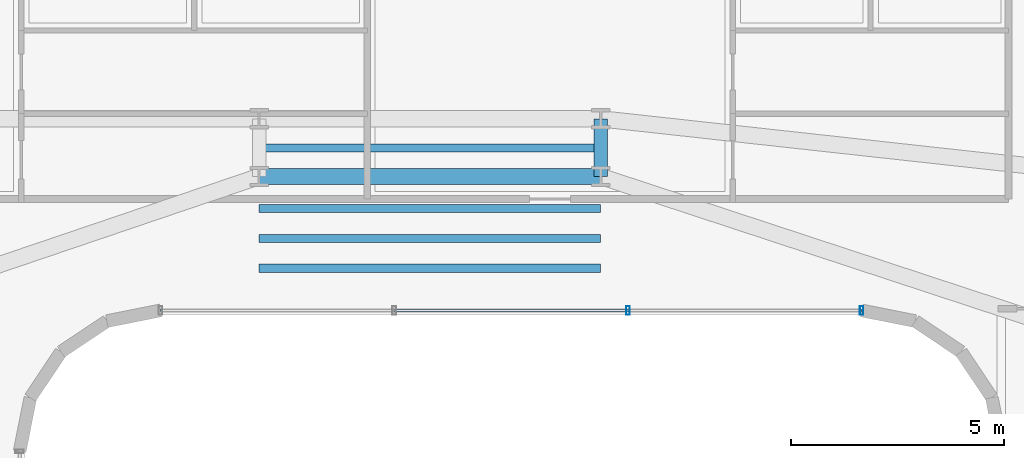
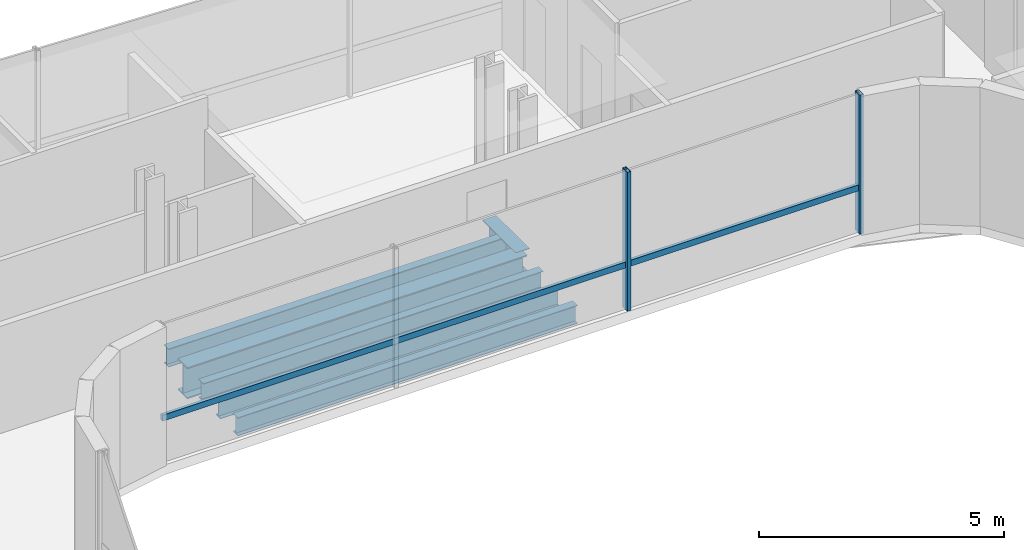
# One storey, part 14 of 35: 6 beams, 3 members, 1 element without a shape of its own.
"""IFC4 building model written with IfcOpenShell, lengths in metres."""

import ifcopenshell
import ifcopenshell.guid

model = None  # the IFC model being written
_history = None  # IfcOwnerHistory: only IFC2X3 demands one
_inside = {}  # id of a spatial element -> (the spatial element, [elements in it])
_under = {}  # id of a project, library or spatial element -> (it, [spatial elements below it])
_declared = {}  # id of a project -> (the project, [libraries it declares])
_typed = {}  # id of a type object -> (the type object, [elements of that type])
_made_of = {}  # id of a material, layer set ... -> (it, [elements and type objects made of it])


def new_model(schema):
    """Start an empty IFC model of exactly this schema.

    Asked for "IFC4X3", IfcOpenShell would pick the latest addendum, in which some entities
    have other attributes; the version numbers below select the first issue.
    IFC2X3 requires an IfcOwnerHistory on every rooted entity: one is made here for all.
    """
    global model, _history
    if schema == "IFC4X3":
        model = ifcopenshell.file(schema_version=(4, 3, 0, 0))
    else:
        model = ifcopenshell.file(schema=schema)
    _inside.clear()
    _under.clear()
    _declared.clear()
    _typed.clear()
    _made_of.clear()
    _history = None
    if model.schema == "IFC2X3":
        org = make("IfcOrganization", Name="unknown")
        user = make(
            "IfcPersonAndOrganization",
            ThePerson=make("IfcPerson", FamilyName="unknown"),
            TheOrganization=org,
        )
        app = make(
            "IfcApplication",
            ApplicationDeveloper=org,
            Version="unknown",
            ApplicationFullName="unknown",
            ApplicationIdentifier="unknown",
        )
        _history = make(
            "IfcOwnerHistory",
            OwningUser=user,
            OwningApplication=app,
            ChangeAction="ADDED",
            CreationDate=0,
        )
    return model


def make(cls, **values):
    """One entity of the class cls with the attributes given. An attribute that is None is left unset."""
    return model.create_entity(
        cls, **{name: value for name, value in values.items() if value is not None}
    )


def rooted(cls, **values):
    """An entity with a GlobalId (a new one), such as an element, a storey or a relation."""
    return make(cls, GlobalId=ifcopenshell.guid.new(), OwnerHistory=_history, **values)


def si_unit(unit_type, name, prefix=None):
    """IfcSIUnit, for example si_unit("LENGTHUNIT", "METRE", prefix="MILLI")."""
    return make("IfcSIUnit", UnitType=unit_type, Prefix=prefix, Name=name)


def assignment(units):
    """IfcUnitAssignment: the units of a project."""
    return None if units is None else make("IfcUnitAssignment", Units=units)


def point(xyz):
    """IfcCartesianPoint."""
    return None if xyz is None else make("IfcCartesianPoint", Coordinates=xyz)


def direction(xyz):
    """IfcDirection."""
    return None if xyz is None else make("IfcDirection", DirectionRatios=xyz)


def frame(location, z_axis=None, x_axis=None):
    """IfcAxis2Placement3D, a coordinate frame: its origin and axes. An axis left out is left unset."""
    return make(
        "IfcAxis2Placement3D",
        Location=point(location),
        Axis=direction(z_axis),
        RefDirection=direction(x_axis),
    )


def frame_2d(location, x_axis=None):
    """IfcAxis2Placement2D, a coordinate frame in the plane: its origin and x axis."""
    return make(
        "IfcAxis2Placement2D", Location=point(location), RefDirection=direction(x_axis)
    )


def origin():
    """The frame at (0, 0, 0) with its axes left unset."""
    return frame((0.0, 0.0, 0.0))


def origin_2d():
    """The frame at (0, 0) in the plane with its x axis left unset."""
    return frame_2d((0.0, 0.0))


def place(relative_to, where):
    """IfcLocalPlacement: puts the frame where relative to a parent placement (None: the world)."""
    return make(
        "IfcLocalPlacement", PlacementRelTo=relative_to, RelativePlacement=where
    )


def context(
    kind, dimensions, precision=None, world=None, true_north=None, identifier=None
):
    """IfcGeometricRepresentationContext, for example the 3D "Model" context."""
    return make(
        "IfcGeometricRepresentationContext",
        ContextIdentifier=identifier,
        ContextType=kind,
        CoordinateSpaceDimension=dimensions,
        Precision=precision,
        WorldCoordinateSystem=world,
        TrueNorth=true_north,
    )


def subcontext(parent, identifier, kind, view, scale=None):
    """IfcGeometricRepresentationSubContext, for example "Body" below "Model"."""
    return make(
        "IfcGeometricRepresentationSubContext",
        ContextIdentifier=identifier,
        ContextType=kind,
        ParentContext=parent,
        TargetScale=scale,
        TargetView=view,
    )


def project(units=None, contexts=None):
    """IfcProject with its units and contexts."""
    return rooted(
        "IfcProject",
        Name="project",
        RepresentationContexts=contexts,
        UnitsInContext=assignment(units),
    )


def spatial(cls, under=None, at=None, **own):
    """A site, building, storey or space (cls), placed at a placement, below another one or the project."""
    s = rooted(cls, ObjectPlacement=at, **own)
    if under is not None:
        _under.setdefault(under.id(), (under, []))[1].append(s)
    return s


def profile(cls, at=None, kind="AREA", **sizes):
    """A parametric profile (cls). Its sizes go by their IFC names, for example OverallWidth=200.0."""
    return make(cls, ProfileType=kind, Position=at, **sizes)


def hollow_rectangle(**sizes):
    """IfcRectangleHollowProfileDef."""
    return profile("IfcRectangleHollowProfileDef", **sizes)


def i_section(**sizes):
    """IfcIShapeProfileDef."""
    return profile("IfcIShapeProfileDef", **sizes)


def extrude(swept, where, along, depth):
    """IfcExtrudedAreaSolid: the profile swept, set in the frame where, extruded along a direction by depth."""
    return make(
        "IfcExtrudedAreaSolid",
        SweptArea=swept,
        Position=where,
        ExtrudedDirection=direction(along),
        Depth=depth,
    )


def shape(context_of_items, identifier, shape_type, items):
    """IfcShapeRepresentation: the items that make up one representation, for example the "Body"."""
    return make(
        "IfcShapeRepresentation",
        ContextOfItems=context_of_items,
        RepresentationIdentifier=identifier,
        RepresentationType=shape_type,
        Items=items,
    )


def source(mapping_origin, context_of_items, identifier, shape_type, items):
    """IfcRepresentationMap: a shape defined once, which mapped items show again and again."""
    return make(
        "IfcRepresentationMap",
        MappingOrigin=mapping_origin,
        MappedRepresentation=shape(context_of_items, identifier, shape_type, items),
    )


def transform(
    local_origin,
    x_axis=None,
    y_axis=None,
    z_axis=None,
    scale=None,
    scale2=None,
    scale3=None,
    uniform=True,
):
    """IfcCartesianTransformationOperator3D, or its non-uniform kind. x_axis, y_axis, z_axis: its Axis1, 2, 3."""
    if uniform:
        return make(
            "IfcCartesianTransformationOperator3D",
            Axis1=direction(x_axis),
            Axis2=direction(y_axis),
            LocalOrigin=point(local_origin),
            Scale=scale,
            Axis3=direction(z_axis),
        )
    return make(
        "IfcCartesianTransformationOperator3DnonUniform",
        Axis1=direction(x_axis),
        Axis2=direction(y_axis),
        LocalOrigin=point(local_origin),
        Scale=scale,
        Axis3=direction(z_axis),
        Scale2=scale2,
        Scale3=scale3,
    )


def mapped(mapping_source, mapping_target):
    """IfcMappedItem: shows the shape of a source again, moved by a transform."""
    return make(
        "IfcMappedItem", MappingSource=mapping_source, MappingTarget=mapping_target
    )


def material(Name=None, Category=None):
    """IfcMaterial."""
    return make("IfcMaterial", Name=Name, Category=Category)


def material_profile(
    of_material, cross_section, Name=None, Category=None, Priority=None
):
    """IfcMaterialProfile: a cross section and its material."""
    return make(
        "IfcMaterialProfile",
        Name=Name,
        Material=of_material,
        Profile=cross_section,
        Priority=Priority,
        Category=Category,
    )


def profile_set(profiles, Name=None, composite=None):
    """IfcMaterialProfileSet."""
    return make(
        "IfcMaterialProfileSet",
        Name=Name,
        MaterialProfiles=profiles,
        CompositeProfile=composite,
    )


def made_of(thing, what):
    """Note that an element or type object is made of a material, layer set ...; save() writes the relation."""
    if what is not None:
        _made_of.setdefault(what.id(), (what, []))[1].append(thing)
    return thing


def type_object(cls, material=None, **own):
    """A type object (cls), such as IfcWallType, which elements share."""
    return made_of(rooted(cls, **own), material)


def element(
    cls,
    number,
    at=None,
    inside=None,
    cuts=None,
    type_object=None,
    material=None,
    context=None,
    identifier="Body",
    shape_type=None,
    held_by="IfcProductDefinitionShape",
    body=None,
    shapes=None,
    **own,
):
    """One element of the class cls, such as IfcWall. Its Tag is "e" and its number.

    at: its placement. inside: the storey or other place that contains it. cuts: it is an
    opening in that element (IfcRelVoidsElement). A single representation is given by context,
    identifier, shape_type and body (its items); several are given by shapes. held_by: the class
    of the entity that holds the representations. save() writes the other relations.
    """
    e = rooted(cls, Tag="e%d" % number, ObjectPlacement=at, **own)
    if body is not None:
        shapes = [shape(context, identifier, shape_type, body)]
    if shapes is not None:
        e.Representation = make(held_by, Representations=shapes)
    if inside is not None:
        _inside.setdefault(inside.id(), (inside, []))[1].append(e)
    if cuts is not None:
        rooted(
            "IfcRelVoidsElement", RelatingBuildingElement=cuts, RelatedOpeningElement=e
        )
    if type_object is not None:
        _typed.setdefault(type_object.id(), (type_object, []))[1].append(e)
    return made_of(e, material)


def aggregate(whole, parts):
    """IfcRelAggregates: a whole, such as a stair, and the parts it consists of."""
    return rooted("IfcRelAggregates", RelatingObject=whole, RelatedObjects=parts)


def save(model, path):
    """Write the relations noted so far, then the file.

    IfcRelAggregates (storeys below a building ...), IfcRelContainedInSpatialStructure (elements
    in a storey), IfcRelDefinesByType, IfcRelAssociatesMaterial and IfcRelDeclares: one each for
    every whole, place, type object, material and project.
    """
    for whole, parts in _under.values():
        aggregate(whole, parts)
    for where, things in _inside.values():
        rooted(
            "IfcRelContainedInSpatialStructure",
            RelatedElements=things,
            RelatingStructure=where,
        )
    for kind, things in _typed.values():
        rooted("IfcRelDefinesByType", RelatedObjects=things, RelatingType=kind)
    for what, things in _made_of.values():
        rooted("IfcRelAssociatesMaterial", RelatedObjects=things, RelatingMaterial=what)
    for by, libraries in _declared.values():
        rooted("IfcRelDeclares", RelatingContext=by, RelatedDefinitions=libraries)
    model.write(path)


model = new_model("IFC4")

# Units and contexts
model_context = context("Model", 3, precision=1e-05, world=origin(), true_north=direction((0.0, 1.0)))
body_context = subcontext(model_context, "Body", "Model", "MODEL_VIEW")
ifc_project = project(units=[si_unit("LENGTHUNIT", "METRE"), si_unit("AREAUNIT", "SQUARE_METRE"), si_unit("VOLUMEUNIT", "CUBIC_METRE"), si_unit("PLANEANGLEUNIT", "RADIAN"), si_unit("MASSUNIT", "GRAM", prefix="KILO")], contexts=[model_context])

# Site, building, storey
site_placement = place(None, origin())
site = spatial("IfcSite", under=ifc_project, at=site_placement, CompositionType="ELEMENT")
building_placement = place(site_placement, origin())
building = spatial("IfcBuilding", under=site, at=building_placement, Name="Valdorenza Pilgrim Sanctuary Tower", CompositionType="ELEMENT")
storey_placement = place(building_placement, frame((0.0, 0.0, 105.699951171875)))
storey = spatial("IfcBuildingStorey", under=building, at=storey_placement, Name="L26", CompositionType="ELEMENT", Elevation=105.699951171875)

# Beams
ifc_material_1 = material(Name="Steel ASTM A992 Grade 50", Category="steel")
ifc_material_profile_1 = material_profile(ifc_material_1, i_section(OverallWidth=0.323974609375, OverallDepth=0.611083984375, WebThickness=0.0126953125, FlangeThickness=0.01904296875, at=origin_2d()), Name="W24X104")
ifc_profile_set_1 = profile_set([ifc_material_profile_1], Name="Steel ASTM A992 Grade 50")
beam_type_1 = type_object("IfcBeamType", Name="STR-BM-GRD-W24B", PredefinedType="BEAM", material=ifc_profile_set_1)
shared_shape_1 = source(origin(), body_context, "Body", "SweptSolid", [
    extrude(i_section(OverallWidth=0.323974609375, OverallDepth=0.611083984375, WebThickness=0.0126953125, FlangeThickness=0.01904296875, at=origin_2d()), origin(), (0.0, 0.0, 1.0), 1.35009765625),
])
beam_1_placement = place(storey_placement, frame((4.0, 13.449951171875, -0.54541015625), z_axis=(0.0, 1.0, 0.0), x_axis=(-1.0, 0.0, 0.0)))
element("IfcBeam", 1, at=beam_1_placement, inside=storey, type_object=beam_type_1, Name="L26 Floor Girder KNK-TIE-E", PredefinedType="BEAM", context=body_context, shape_type="MappedRepresentation", body=[
    mapped(shared_shape_1, transform((0.0, 0.0, 0.0), x_axis=(1.0, 0.0, 0.0), y_axis=(0.0, 1.0, 0.0), z_axis=(0.0, 0.0, 1.0), scale=1.0)),
])
ifc_material_profile_2 = material_profile(ifc_material_1, i_section(OverallWidth=0.382080078125, OverallDepth=0.779052734375, WebThickness=0.01806640625, FlangeThickness=0.030029296875, at=origin_2d()), Name="W30X191")
ifc_profile_set_2 = profile_set([ifc_material_profile_2], Name="Steel ASTM A992 Grade 50")
beam_type_2 = type_object("IfcBeamType", Name="STR-BM-GRD-W30", PredefinedType="BEAM", material=ifc_profile_set_2)
shared_shape_2 = source(origin(), body_context, "Body", "SweptSolid", [
    extrude(i_section(OverallWidth=0.382080078125, OverallDepth=0.779052734375, WebThickness=0.01806640625, FlangeThickness=0.030029296875, at=origin_2d()), origin(), (0.0, 0.0, 1.0), 8.0),
])
beam_2_placement = place(storey_placement, frame((-4.0, 13.449951171875, -0.62939453125), z_axis=(1.0, 0.0, 0.0), x_axis=(0.0, 1.0, 0.0)))
element("IfcBeam", 2, at=beam_2_placement, inside=storey, type_object=beam_type_2, Name="L26 Floor Girder KNK-G2", PredefinedType="BEAM", context=body_context, shape_type="MappedRepresentation", body=[
    mapped(shared_shape_2, transform((0.0, 0.0, 0.0), x_axis=(1.0, 0.0, 0.0), y_axis=(0.0, 1.0, 0.0), z_axis=(0.0, 0.0, 1.0), scale=1.0)),
])
ifc_material_profile_3 = material_profile(ifc_material_1, i_section(OverallWidth=0.19091796875, OverallDepth=0.45703125, WebThickness=0.009033203125, FlangeThickness=0.014404296875, at=origin_2d()), Name="W18X50")
ifc_profile_set_3 = profile_set([ifc_material_profile_3], Name="Steel ASTM A992 Grade 50")
beam_type_3 = type_object("IfcBeamType", Name="STR-BM-JST-W18B", PredefinedType="JOIST", material=ifc_profile_set_3)
shared_shape_3 = source(origin(), body_context, "Body", "SweptSolid", [
    extrude(i_section(OverallWidth=0.19091796875, OverallDepth=0.45703125, WebThickness=0.009033203125, FlangeThickness=0.014404296875, at=origin_2d()), origin(), (0.0, 0.0, 1.0), 8.0),
])
for number, where, z_axis, x_axis, name in (
    (3, (-4.0, 11.300048828125, -0.468505859375), (1.0, 0.0, 0.0), (0.0, 1.0, 0.0), "L26 Knuckle Composite Joist JST-KNK-1"),
    (4, (-4.0, 12.0, -0.468505859375), (1.0, 0.0, 0.0), (0.0, 1.0, 0.0), "L26 Knuckle Composite Joist JST-KNK-2"),
    (5, (-4.0, 12.699951171875, -0.468505859375), (1.0, 0.0, 0.0), (0.0, 1.0, 0.0), "L26 Knuckle Composite Joist JST-KNK-3"),
    (6, (-4.0, 14.1201171875, -0.468505859375), (1.0, 0.0, 0.0), (0.0, 1.0, 0.0), "L26 Knuckle Composite Joist JST-KNK-4"),
):
    element("IfcBeam", number, at=place(storey_placement, frame(where, z_axis=z_axis, x_axis=x_axis)), inside=storey, type_object=beam_type_3, Name=name, PredefinedType="JOIST", context=body_context, shape_type="MappedRepresentation", body=[
        mapped(shared_shape_3, transform((0.0, 0.0, 0.0), x_axis=(1.0, 0.0, 0.0), y_axis=(0.0, 1.0, 0.0), z_axis=(0.0, 0.0, 1.0), scale=1.0)),
    ])

# Curtain wall, members
ifc_material_2 = material(Name="Curtain-wall IGU glazing", Category="glass")
curtain_wall_type = type_object("IfcCurtainWallType", Name="CW-SYS-02", PredefinedType="NOTDEFINED", material=ifc_material_2)
curtain_wall_placement = place(storey_placement, origin())
curtain_wall = element("IfcCurtainWall", 7, at=curtain_wall_placement, inside=storey, type_object=curtain_wall_type, Name="L26 Curtain Wall CW-L26-1-36", PredefinedType="NOTDEFINED")
ifc_material_3 = material(Name="Anodised aluminium AW-6060", Category="aluminium")
ifc_material_profile_4 = material_profile(ifc_material_3, hollow_rectangle(XDim=0.0849609375, YDim=0.199951171875, WallThickness=0.0048828125, at=origin_2d()), Name="ALU-M 200x85x5")
ifc_profile_set_4 = profile_set([ifc_material_profile_4], Name="Anodised aluminium AW-6060")
member_type_1 = type_object("IfcMemberType", Name="CW-MUL-02", PredefinedType="MULLION", material=ifc_profile_set_4)
shared_shape_4 = source(origin(), body_context, "Body", "SweptSolid", [
    extrude(hollow_rectangle(XDim=0.0849609375, YDim=0.199951171875, WallThickness=0.0048828125, at=origin_2d()), origin(), (0.0, 0.0, 1.0), 3.4599609375),
])
member_1_placement = place(storey_placement, frame((10.11083984375, 10.31005859375, 0.0), z_axis=(0.0, 0.0, 1.0), x_axis=(-1.0, 0.0, 0.0)))
member_1 = element("IfcMember", 8, at=member_1_placement, type_object=member_type_1, Name="CW-L26-1-36 Mullion 1", PredefinedType="MULLION", context=body_context, shape_type="MappedRepresentation", body=[
    mapped(shared_shape_4, transform((0.0, 0.0, 0.0), x_axis=(1.0, 0.0, 0.0), y_axis=(0.0, 1.0, 0.0), z_axis=(0.0, 0.0, 1.0), scale=1.0)),
])
member_2_placement = place(storey_placement, frame((4.636962890625, 10.31005859375, 0.0), z_axis=(0.0, 0.0, 1.0), x_axis=(-1.0, 0.0, 0.0)))
member_2 = element("IfcMember", 9, at=member_2_placement, type_object=member_type_1, Name="CW-L26-1-36 Mullion 2", PredefinedType="MULLION", context=body_context, shape_type="MappedRepresentation", body=[
    mapped(shared_shape_4, transform((0.0, 0.0, 0.0), x_axis=(1.0, 0.0, 0.0), y_axis=(0.0, 1.0, 0.0), z_axis=(0.0, 0.0, 1.0), scale=1.0)),
])
ifc_material_profile_5 = material_profile(ifc_material_3, hollow_rectangle(XDim=0.074951171875, YDim=0.14990234375, WallThickness=0.00390625, at=origin_2d()), Name="ALU-T 150x75x4")
ifc_profile_set_5 = profile_set([ifc_material_profile_5], Name="Anodised aluminium AW-6060")
member_type_2 = type_object("IfcMemberType", Name="CW-TRN-02", PredefinedType="USERDEFINED", material=ifc_profile_set_5)
shared_shape_5 = source(origin(), body_context, "Body", "SweptSolid", [
    extrude(hollow_rectangle(XDim=0.074951171875, YDim=0.14990234375, WallThickness=0.00390625, at=origin_2d()), origin(), (0.0, 0.0, 1.0), 16.421630859375),
])
member_3_placement = place(storey_placement, frame((10.11083984375, 10.31005859375, 1.1201171875), z_axis=(-1.0, 0.0, 0.0), x_axis=(0.0, -1.0, 0.0)))
member_3 = element("IfcMember", 10, at=member_3_placement, type_object=member_type_2, Name="CW-L26-1-36 Transom 1", ObjectType="TRANSOM", PredefinedType="USERDEFINED", context=body_context, shape_type="MappedRepresentation", body=[
    mapped(shared_shape_5, transform((0.0, 0.0, 0.0), x_axis=(1.0, 0.0, 0.0), y_axis=(0.0, 1.0, 0.0), z_axis=(0.0, 0.0, 1.0), scale=1.0)),
])
aggregate(curtain_wall, [member_1, member_2, member_3])

save(model, "model.ifc")
